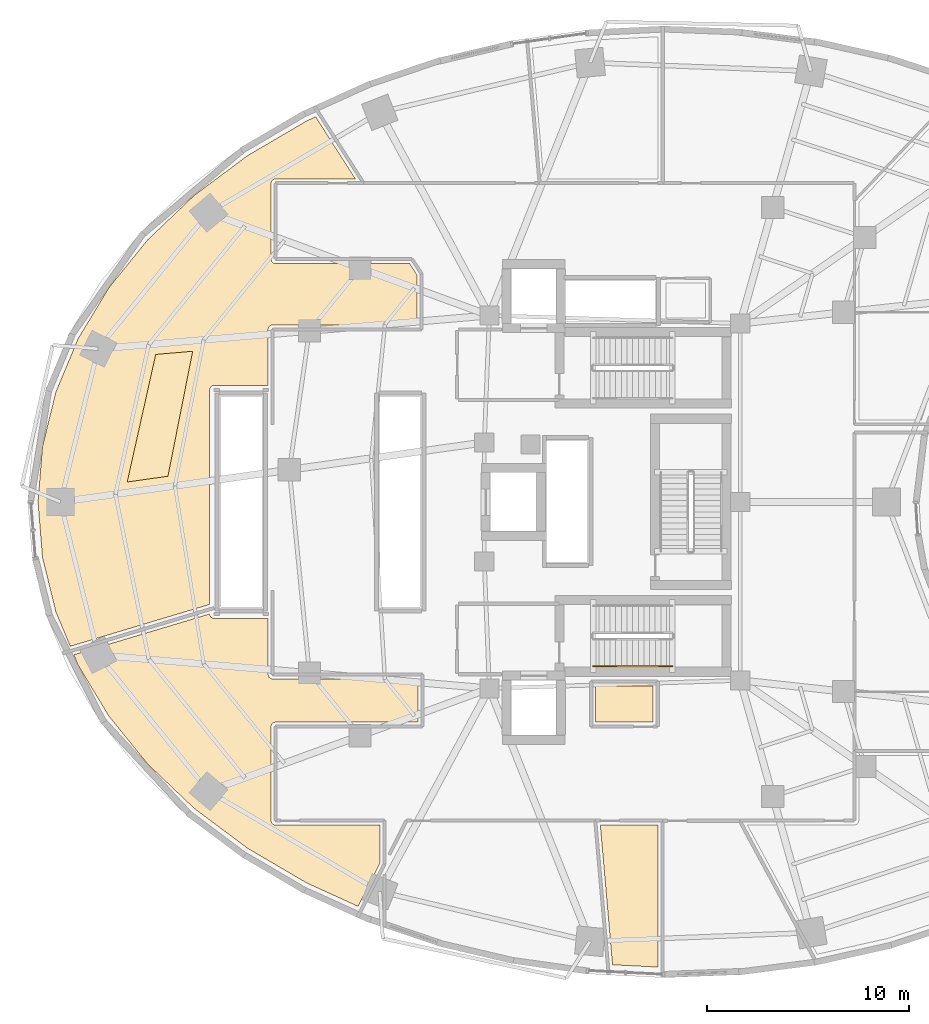
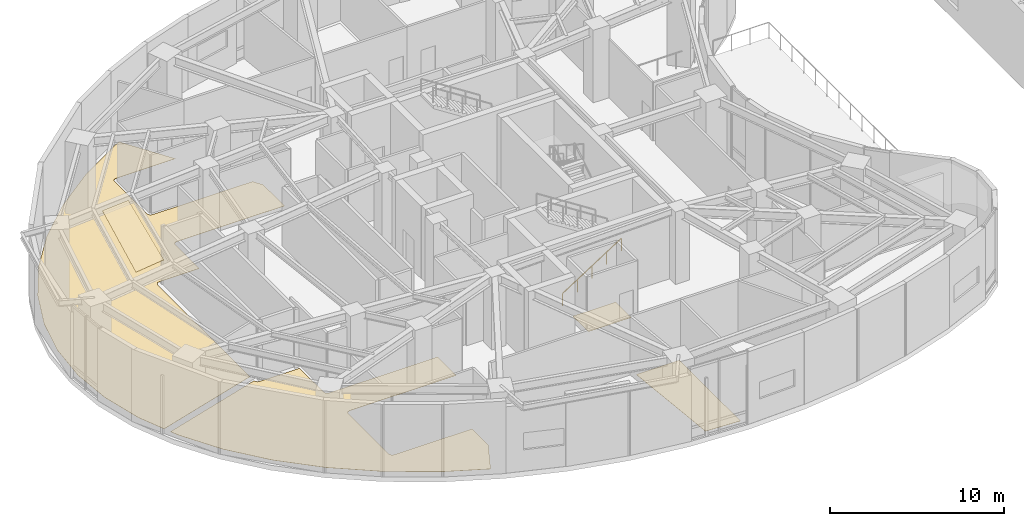
# One storey, part 17 of 19: 5 coverings, 1 railing.
"""IFC4 building model written with IfcOpenShell, lengths in metres."""

from ifc_helpers import new_model, si_unit, direction, frame, origin, origin_2d, place, context, subcontext, project, spatial, polyline, rectangle, outline, extrude, material, layer, layer_set, type_object, element, save


model = new_model("IFC4")

# Units and contexts
model_context = context("Model", 3, precision=1e-05, world=origin(), true_north=direction((0.0, 1.0)))
body_context = subcontext(model_context, "Body", "Model", "MODEL_VIEW")
ifc_project = project(units=[si_unit("LENGTHUNIT", "METRE"), si_unit("AREAUNIT", "SQUARE_METRE"), si_unit("VOLUMEUNIT", "CUBIC_METRE"), si_unit("PLANEANGLEUNIT", "RADIAN"), si_unit("MASSUNIT", "GRAM", prefix="KILO")], contexts=[model_context])

# Site, building, storey
site_placement = place(None, origin())
site = spatial("IfcSite", under=ifc_project, at=site_placement, CompositionType="ELEMENT")
building_placement = place(site_placement, origin())
building = spatial("IfcBuilding", under=site, at=building_placement, Name="Korentha Bioscience Tower", CompositionType="ELEMENT")
storey_placement = place(building_placement, frame((0.0, 0.0, 20.39990234375)))
storey = spatial("IfcBuildingStorey", under=building, at=storey_placement, Name="L04", CompositionType="ELEMENT", Elevation=20.39990234375)

# Railing
ifc_material_1 = material(Name="Stainless Steel 304", Category="steel")
railing_type = type_object("IfcRailingType", Name="Brushed Stainless Stair Handrail 900", PredefinedType="HANDRAIL", material=ifc_material_1)
railing_placement = place(storey_placement, frame((30.25, 18.85009765625, 0.18017578125)))
element("IfcRailing", 1, at=railing_placement, inside=storey, type_object=railing_type, Name="L04 ST-2 stair handrail 1", PredefinedType="HANDRAIL", context=body_context, shape_type="SweptSolid", body=[
    extrude(rectangle(XDim=0.048095703125, YDim=0.048095703125, at=origin_2d()), frame((0.0, 0.0, 0.8759765625), z_axis=(0.841171666519, 0.0, 0.540768182723), x_axis=(0.0, 1.0, 0.0)), (0.0, 0.0, 1.0), 4.66015625),
    extrude(rectangle(XDim=0.0419921875, YDim=0.0419921875, at=origin_2d()), origin(), (0.0, 0.0, 1.0), 0.851806640625),
    extrude(rectangle(XDim=0.0419921875, YDim=0.0419921875, at=origin_2d()), frame((0.97998046875, 0.0, 0.6298828125)), (0.0, 0.0, 1.0), 0.851806640625),
    extrude(rectangle(XDim=0.0419921875, YDim=0.0419921875, at=origin_2d()), frame((1.9599609375, 0.0, 1.260009765625)), (0.0, 0.0, 1.0), 0.851806640625),
    extrude(rectangle(XDim=0.0419921875, YDim=0.0419921875, at=origin_2d()), frame((2.93994140625, 0.0, 1.89013671875)), (0.0, 0.0, 1.0), 0.851806640625),
    extrude(rectangle(XDim=0.0419921875, YDim=0.0419921875, at=origin_2d()), frame((3.919921875, 0.0, 2.52001953125)), (0.0, 0.0, 1.0), 0.851806640625),
])

# Coverings
ifc_material_2 = material(Name="Antimicrobial Mineral Fibre Board", Category="gypsum")
ifc_layer_1 = layer(ifc_material_2, 0.034912109375, Name="Antimicrobial Mineral Fibre Board")
ifc_layer_set_1 = layer_set([ifc_layer_1], Name="Antimicrobial Mineral Fibre Board (CL-MF35)")
covering_type_1 = type_object("IfcCoveringType", Name="Mineral-Fibre Cleanroom Suspended Ceiling 35", PredefinedType="CEILING", material=ifc_layer_set_1)
covering_1_placement = place(storey_placement, frame((0.0, 0.0, 5.065185546875)))
element("IfcCovering", 2, at=covering_1_placement, inside=storey, type_object=covering_type_1, Name="L04 Catering Warming Kitchen 11 Acoustic Ceiling", PredefinedType="CEILING", context=body_context, shape_type="SweptSolid", body=[
    extrude(outline(polyline([(7.13671875, 27.990478515625), (8.55126953125, 34.317138671875), (10.383544921875, 34.473388671875), (9.157470703125, 28.27392578125), (7.13671875, 27.990478515625)])), origin(), (0.0, 0.0, 1.0), 0.034912109375),
])
ifc_material_3 = material(Name="Chemical-Resistant Epoxy Resin", Category="polymer")
ifc_layer_2 = layer(ifc_material_3, 0.011962890625, Name="Chemical-Resistant Epoxy Resin")
ifc_layer_set_2 = layer_set([ifc_layer_2], Name="Chemical-Resistant Epoxy Resin (FL-EPX)")
covering_type_2 = type_object("IfcCoveringType", Name="Seamless Epoxy Laboratory Flooring 12", PredefinedType="FLOORING", material=ifc_layer_set_2)
covering_2_placement = place(storey_placement, origin())
element("IfcCovering", 3, at=covering_2_placement, inside=storey, type_object=covering_type_2, Name="L04 Core Instrumentation and Gas Store Floor Finish", PredefinedType="FLOORING", context=body_context, shape_type="SweptSolid", body=[
    extrude(outline(polyline([(30.3701171875, 16.080078125), (30.3701171875, 17.8701171875), (33.22998046875, 17.8701171875), (33.22998046875, 16.080078125), (30.3701171875, 16.080078125)])), origin(), (0.0, 0.0, 1.0), 0.01220703125),
])
covering_3_placement = place(storey_placement, origin())
element("IfcCovering", 4, at=covering_3_placement, inside=storey, type_object=covering_type_2, Name="L04 Bioscience Reference Library 01 Floor Finish", PredefinedType="FLOORING", context=body_context, shape_type="SweptSolid", body=[
    extrude(outline(polyline([(11.22021484375, 21.44189453125), (11.233642578125, 21.3720703125), (11.27978515625, 21.295166015625), (11.35205078125, 21.241943359375), (11.438232421875, 21.22021484375), (14.1201171875, 21.219970703125), (14.120361328125, 18.438232421875), (14.16552734375, 18.3125), (14.27294921875, 18.2333984375), (14.35009765625, 18.219970703125), (21.570068359375, 18.219970703125), (21.570068359375, 16.080078125), (14.5, 16.080078125), (14.362548828125, 16.034423828125), (14.302978515625, 15.96875), (14.277099609375, 15.906494140625), (14.27001953125, 11.199951171875), (14.2919921875, 11.10205078125), (14.34521484375, 11.02978515625), (14.422119140625, 10.983642578125), (14.5, 10.969970703125), (19.677978515625, 10.969970703125), (19.677978515625, 9.09033203125), (18.591796875, 6.93994140625), (16.0458984375, 8.09521484375), (13.09619140625, 9.826171875), (10.451904296875, 11.8037109375), (8.151123046875, 13.998046875), (6.225830078125, 16.375732421875), (4.702392578125, 18.90185546875), (4.485595703125, 19.42138671875), (11.22021484375, 21.44189453125)])), origin(), (0.0, 0.0, 1.0), 0.01220703125),
])
covering_4_placement = place(storey_placement, origin())
element("IfcCovering", 5, at=covering_4_placement, inside=storey, type_object=covering_type_2, Name="L04 Catering Warming Kitchen 03 Floor Finish", PredefinedType="FLOORING", context=body_context, shape_type="SweptSolid", body=[
    extrude(outline(polyline([(30.60498046875, 10.969970703125), (33.47802734375, 10.969970703125), (33.47802734375, 3.92529296875), (31.211181640625, 4.03955078125), (30.60498046875, 10.969970703125)])), origin(), (0.0, 0.0, 1.0), 0.01220703125),
])
covering_5_placement = place(storey_placement, origin())
element("IfcCovering", 6, at=covering_5_placement, inside=storey, type_object=covering_type_2, Name="L04 Catering Warming Kitchen 11 Floor Finish", PredefinedType="FLOORING", context=body_context, shape_type="SweptSolid", body=[
    extrude(outline(polyline([(2.9345703125, 29.74853515625), (3.600830078125, 32.46044921875), (4.702392578125, 35.097900390625), (6.225830078125, 37.623779296875), (8.15087890625, 40.001708984375), (10.45166015625, 42.196044921875), (13.095947265625, 44.173583984375), (16.045654296875, 45.90478515625), (16.4853515625, 46.104248046875), (18.451416015625, 43.030029296875), (14.5, 43.030029296875), (14.422119140625, 43.016357421875), (14.34521484375, 42.97021484375), (14.2919921875, 42.89794921875), (14.27001953125, 42.800048828125), (14.27001953125, 39.050048828125), (14.292236328125, 38.951171875), (14.38134765625, 38.85302734375), (14.5, 38.820068359375), (21.15087890625, 38.820068359375), (21.52001953125, 38.242919921875), (21.52001953125, 35.780029296875), (14.293701171875, 35.77294921875), (14.17919921875, 35.7041015625), (14.141845703125, 35.64794921875), (14.120361328125, 35.561767578125), (14.1201171875, 32.780029296875), (11.439208984375, 32.77978515625), (11.351318359375, 32.7578125), (11.265625, 32.6875), (11.219970703125, 32.550048828125), (11.219970703125, 21.91162109375), (4.31201171875, 19.839111328125), (3.600830078125, 21.53955078125), (2.934814453125, 24.251220703125), (2.711669921875, 27.0), (2.9345703125, 29.74853515625)])), origin(), (0.0, 0.0, 1.0), 0.01220703125),
])

save(model, "model.ifc")
